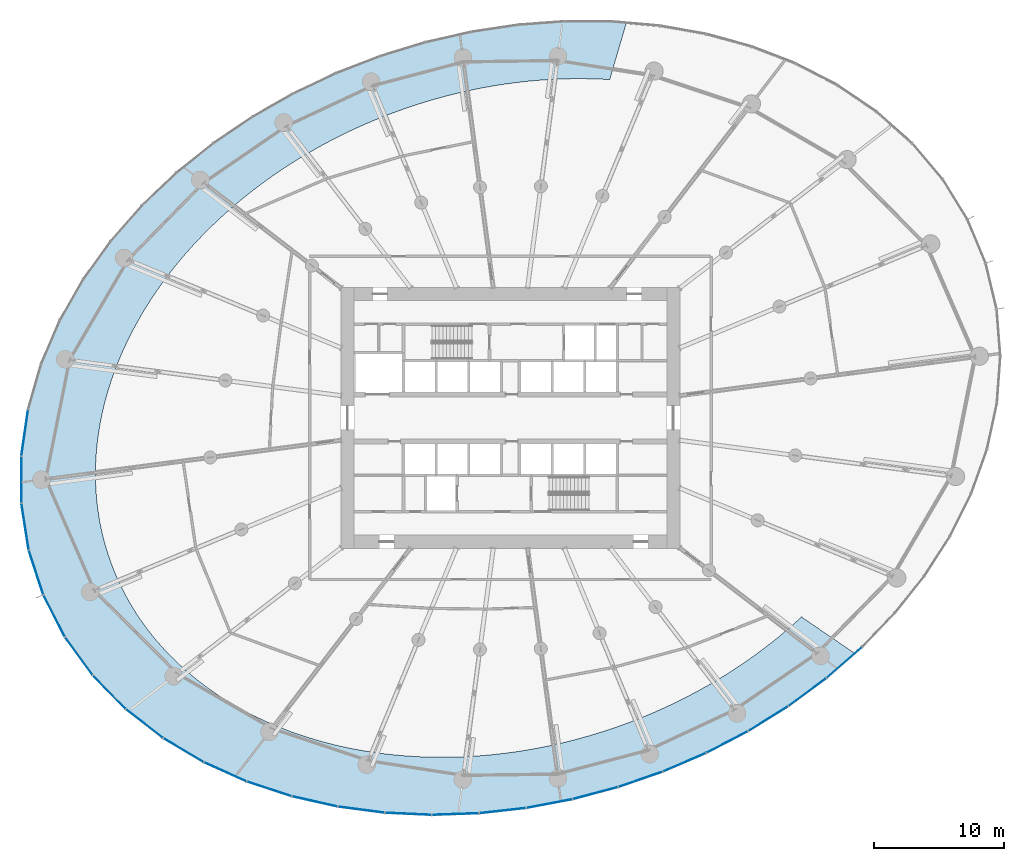
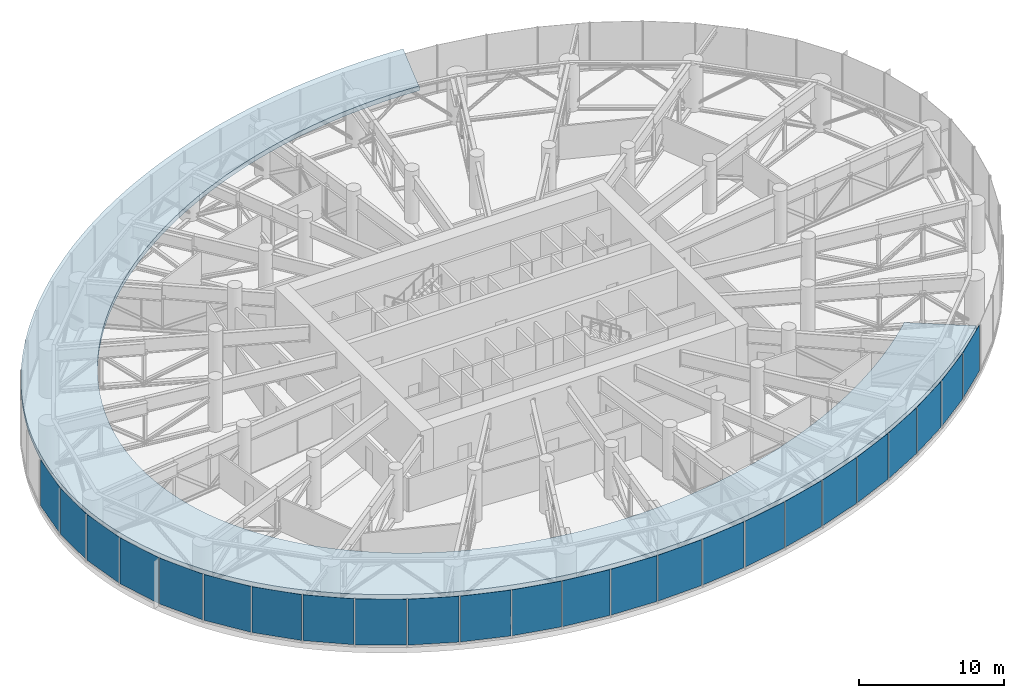
# One storey, part 18 of 42: 24 plates, 1 slab, 5 elements without a shape of their own.
"""IFC4 building model written with IfcOpenShell, lengths in metres."""

from ifc_helpers import new_model, si_unit, direction, frame, origin, origin_2d, place, context, subcontext, project, spatial, line, indexed_curve, rectangle, outline, extrude, source, transform, mapped, material, layer, layer_set, type_object, element, aggregate, save


model = new_model("IFC4")

# Units and contexts
model_context = context("Model", 3, precision=1e-05, world=origin(), true_north=direction((0.0, 1.0)))
body_context = subcontext(model_context, "Body", "Model", "MODEL_VIEW")
ifc_project = project(units=[si_unit("LENGTHUNIT", "METRE"), si_unit("AREAUNIT", "SQUARE_METRE"), si_unit("VOLUMEUNIT", "CUBIC_METRE"), si_unit("PLANEANGLEUNIT", "RADIAN"), si_unit("MASSUNIT", "GRAM", prefix="KILO")], contexts=[model_context])

# Site, building, storey
site_placement = place(None, origin())
site = spatial("IfcSite", under=ifc_project, at=site_placement, CompositionType="ELEMENT")
building_placement = place(site_placement, origin())
building = spatial("IfcBuilding", under=site, at=building_placement, Name="Spindrift Exchange Tower", CompositionType="ELEMENT")
storey_placement = place(building_placement, frame((0.0, 0.0, 75.39990234375)))
storey = spatial("IfcBuildingStorey", under=building, at=storey_placement, Name="L17", CompositionType="ELEMENT", Elevation=75.39990234375)

# Slab
ifc_material_1 = material(Name="Concrete 40 MPa", Category="concrete")
ifc_layer_1 = layer(ifc_material_1, 0.39990234375)
ifc_layer_set_1 = layer_set([ifc_layer_1], Name="RC Ledge Roof Slab 400 Concrete 40 MPa")
slab_type = type_object("IfcSlabType", Name="RC Ledge Roof Slab 400 Concrete 40 MPa", PredefinedType="ROOF", material=ifc_layer_set_1)
slab_placement = place(storey_placement, frame((0.0, 0.0, 4.0)))
element("IfcSlab", 1, at=slab_placement, inside=storey, type_object=slab_type, Name="Setback ledge roof L18", PredefinedType="ROOF", context=body_context, shape_type="SweptSolid", body=[
    extrude(outline(indexed_curve([(78.073486328125, 29.58349609375), (77.17626953125, 28.802001953125), (76.259033203125, 28.046142578125), (75.79248046875, 27.677490234375), (74.844482421875, 26.95849609375), (74.36376953125, 26.6083984375), (73.388671875, 25.927734375), (72.89453125, 25.596923828125), (71.89453125, 24.95458984375), (70.87744140625, 24.3369140625), (69.846435546875, 23.745849609375), (69.3251953125, 23.459716796875), (68.7998046875, 23.1796875), (67.74072265625, 22.639892578125), (66.667724609375, 22.1259765625), (65.583740234375, 21.63818359375), (65.037109375, 21.404052734375), (63.935302734375, 20.95556640625), (63.380615234375, 20.7412109375), (62.263671875, 20.33251953125), (61.137939453125, 19.950927734375), (60.571533203125, 19.770263671875), (59.432373046875, 19.428955078125), (58.85986328125, 19.2685546875), (58.284912109375, 19.11474609375), (57.131103515625, 18.82861328125), (55.970458984375, 18.56982421875), (54.8037109375, 18.33935546875), (54.2177734375, 18.234619140625), (53.631103515625, 18.13720703125), (52.455322265625, 17.9638671875), (51.864990234375, 17.887939453125), (50.683349609375, 17.75830078125), (49.498291015625, 17.658203125), (48.311279296875, 17.588134765625), (47.717041015625, 17.564697265625), (46.527587890625, 17.540283203125), (45.932861328125, 17.539794921875), (44.744384765625, 17.5625), (43.556396484375, 17.616943359375), (42.962646484375, 17.65625), (41.778564453125, 17.759521484375), (40.596435546875, 17.8955078125), (39.420166015625, 18.0654296875), (38.833740234375, 18.1630859375), (37.665283203125, 18.384765625), (37.0830078125, 18.5087890625), (35.926513671875, 18.782958984375), (34.778564453125, 19.09326171875), (33.640380859375, 19.4404296875), (33.075927734375, 19.627685546875), (32.514892578125, 19.82470703125), (31.9580078125, 20.030517578125), (31.40380859375, 20.24609375), (30.853515625, 20.471435546875), (30.307373046875, 20.706298828125), (29.765380859375, 20.950927734375), (29.22705078125, 21.20556640625), (28.6943359375, 21.4697265625), (28.16650390625, 21.743896484375), (27.644287109375, 22.027587890625), (27.1279296875, 22.3212890625), (26.616943359375, 22.625), (26.11181640625, 22.938720703125), (25.61328125, 23.2626953125), (25.12109375, 23.596435546875), (24.635986328125, 23.9404296875), (24.15771484375, 24.295166015625), (23.6875, 24.6591796875), (23.22509765625, 25.033203125), (22.771240234375, 25.417236328125), (22.326416015625, 25.810302734375), (21.889892578125, 26.214111328125), (21.462646484375, 26.62744140625), (21.044921875, 27.05078125), (20.636474609375, 27.484375), (20.239013671875, 27.926513671875), (19.85205078125, 28.378173828125), (19.476806640625, 28.837890625), (19.1123046875, 29.3076171875), (18.758544921875, 29.786865234375), (18.41748046875, 30.27392578125), (18.088623046875, 30.769287109375), (17.7724609375, 31.27294921875), (17.468994140625, 31.784423828125), (17.1787109375, 32.303466796875), (16.90185546875, 32.82958984375), (16.638916015625, 33.36279296875), (16.3896484375, 33.902587890625), (16.154541015625, 34.44873046875), (15.933837890625, 35.0009765625), (15.727783203125, 35.557373046875), (15.536376953125, 36.120361328125), (15.359619140625, 36.68798828125), (15.197509765625, 37.261474609375), (15.05078125, 37.837646484375), (14.919189453125, 38.416259765625), (14.802490234375, 39.00048828125), (14.700927734375, 39.58642578125), (14.61474609375, 40.1748046875), (14.54345703125, 40.76513671875), (14.487548828125, 41.35693359375), (14.446533203125, 41.948974609375), (14.42041015625, 42.543212890625), (14.4091796875, 43.1376953125), (14.41259765625, 43.732177734375), (14.4306640625, 44.326416015625), (14.463134765625, 44.920166015625), (14.509765625, 45.512939453125), (14.5703125, 46.1044921875), (14.64501953125, 46.6943359375), (14.7333984375, 47.28369140625), (14.8349609375, 47.868408203125), (14.949951171875, 48.45166015625), (15.077880859375, 49.032470703125), (15.21875, 49.611083984375), (15.3720703125, 50.185791015625), (15.53759765625, 50.7568359375), (15.715087890625, 51.32421875), (15.904541015625, 51.887939453125), (16.10498046875, 52.446533203125), (16.317626953125, 53.0029296875), (16.541015625, 53.55419921875), (16.77490234375, 54.1005859375), (17.019775390625, 54.642578125), (17.274658203125, 55.1796875), (17.539794921875, 55.712158203125), (17.814697265625, 56.2392578125), (18.0986328125, 56.760498046875), (18.39306640625, 57.2783203125), (18.69580078125, 57.7890625), (19.0078125, 58.29541015625), (19.328369140625, 58.7958984375), (19.658203125, 59.291748046875), (19.99560546875, 59.781494140625), (20.69482421875, 60.743408203125), (21.05615234375, 61.215576171875), (21.800537109375, 62.14208984375), (22.184326171875, 62.59716796875), (22.970947265625, 63.488037109375), (23.78515625, 64.355712890625), (24.20166015625, 64.7802734375), (25.052734375, 65.61083984375), (25.926513671875, 66.41650390625), (26.3720703125, 66.81005859375), (26.82373046875, 67.197998046875), (27.741455078125, 67.9541015625), (28.2080078125, 68.322998046875), (29.15478515625, 69.041259765625), (29.63623046875, 69.3916015625), (30.61083984375, 70.07177734375), (31.10546875, 70.403076171875), (32.10546875, 71.04541015625), (33.1220703125, 71.66259765625), (33.635986328125, 71.96142578125), (34.154296875, 72.25439453125), (35.19970703125, 72.820068359375), (36.25927734375, 73.360107421875), (36.7939453125, 73.6201171875), (37.332275390625, 73.8740234375), (38.416259765625, 74.36181640625), (38.96337890625, 74.59619140625), (40.064208984375, 75.044189453125), (40.619384765625, 75.2587890625), (41.735595703125, 75.667236328125), (42.862060546875, 76.049072265625), (43.428466796875, 76.229736328125), (44.567626953125, 76.571044921875), (45.140869140625, 76.731689453125), (45.715087890625, 76.88525390625), (46.869384765625, 77.171630859375), (48.029541015625, 77.43017578125), (48.61279296875, 77.549072265625), (49.781494140625, 77.76513671875), (50.368896484375, 77.86279296875), (51.544677734375, 78.0361328125), (52.135009765625, 78.112060546875), (53.316650390625, 78.24169921875), (53.909423828125, 78.29541015625), (55.094970703125, 78.380615234375), (55.689453125, 78.411865234375), (56.877197265625, 78.451416015625), (57.471923828125, 78.459716796875), (58.067138671875, 78.460205078125), (59.255615234375, 78.4375), (59.850341796875, 78.414306640625), (60.94921875, 78.349609375), (60.917236328125, 78.3408203125), (60.89794921875, 78.313720703125), (59.637451171875, 74.01953125), (59.64453125, 73.976806640625), (59.68212890625, 73.95556640625), (58.9599609375, 73.996337890625), (58.454833984375, 74.015625), (57.444091796875, 74.03369140625), (56.433349609375, 74.02490234375), (55.4228515625, 73.9892578125), (54.413818359375, 73.927490234375), (53.40673828125, 73.839599609375), (52.40234375, 73.726806640625), (51.4013671875, 73.58837890625), (50.902099609375, 73.510009765625), (49.906005859375, 73.3349609375), (48.915283203125, 73.135498046875), (47.9296875, 72.911865234375), (46.94921875, 72.664794921875), (45.975341796875, 72.39404296875), (45.00830078125, 72.10009765625), (44.52734375, 71.9443359375), (43.571533203125, 71.615966796875), (42.62353515625, 71.264892578125), (41.684326171875, 70.891357421875), (40.754150390625, 70.4951171875), (39.833984375, 70.076904296875), (38.924072265625, 69.636962890625), (38.47314453125, 69.40869140625), (37.57958984375, 68.935302734375), (36.6982421875, 68.440673828125), (35.829345703125, 67.924560546875), (34.97314453125, 67.38671875), (34.55029296875, 67.10986328125), (33.715576171875, 66.540283203125), (32.8955078125, 65.94921875), (32.091064453125, 65.337158203125), (31.302978515625, 64.7041015625), (30.531982421875, 64.050048828125), (29.779296875, 63.375244140625), (29.045654296875, 62.679931640625), (28.331787109375, 61.96435546875), (27.638916015625, 61.228271484375), (26.968017578125, 60.47216796875), (26.3203125, 59.696044921875), (25.697021484375, 58.90087890625), (25.098876953125, 58.08544921875), (24.527587890625, 57.251953125), (23.984619140625, 56.399658203125), (23.723876953125, 55.966552734375), (23.22509765625, 55.0869140625), (22.75830078125, 54.190673828125), (22.32470703125, 53.277587890625), (22.12060546875, 52.814697265625), (21.73974609375, 51.87841796875), (21.56298828125, 51.405029296875), (21.39599609375, 50.928466796875), (21.238525390625, 50.447998046875), (21.091064453125, 49.964599609375), (20.95361328125, 49.478515625), (20.826416015625, 48.98876953125), (20.709716796875, 48.496826171875), (20.60400390625, 48.002685546875), (20.509033203125, 47.5068359375), (20.42529296875, 47.00830078125), (20.3525390625, 46.50830078125), (20.29150390625, 46.006591796875), (20.2421875, 45.50341796875), (20.20458984375, 44.99951171875), (20.178955078125, 44.494140625), (20.16552734375, 43.989013671875), (20.164306640625, 43.484130859375), (20.17529296875, 42.978759765625), (20.198974609375, 42.473388671875), (20.2353515625, 41.96923828125), (20.2841796875, 41.46630859375), (20.345947265625, 40.965087890625), (20.42041015625, 40.465087890625), (20.507568359375, 39.966796875), (20.607666015625, 39.471435546875), (20.720458984375, 38.979248046875), (20.84619140625, 38.4892578125), (20.984619140625, 38.003173828125), (21.135498046875, 37.521484375), (21.299072265625, 37.043212890625), (21.475341796875, 36.56884765625), (21.663818359375, 36.099853515625), (21.8642578125, 35.63671875), (22.0771484375, 35.177490234375), (22.301513671875, 34.725341796875), (22.53759765625, 34.278564453125), (22.785888671875, 33.83740234375), (23.044677734375, 33.4033203125), (23.314208984375, 32.9765625), (23.5947265625, 32.55615234375), (23.885986328125, 32.14306640625), (24.187744140625, 31.73681640625), (24.4990234375, 31.338623046875), (24.81982421875, 30.9482421875), (25.14990234375, 30.566162109375), (25.48974609375, 30.191162109375), (25.837890625, 29.82470703125), (26.194580078125, 29.466796875), (26.5595703125, 29.1171875), (26.932373046875, 28.77587890625), (27.31298828125, 28.443115234375), (27.7001953125, 28.119384765625), (28.09521484375, 27.803955078125), (28.496826171875, 27.4970703125), (28.9052734375, 27.198486328125), (29.319580078125, 26.9091796875), (29.739990234375, 26.62841796875), (30.165771484375, 26.3564453125), (30.59716796875, 26.093017578125), (31.033447265625, 25.838623046875), (31.9208984375, 25.35498046875), (32.3720703125, 25.1259765625), (33.285888671875, 24.69384765625), (34.21435546875, 24.295654296875), (35.156982421875, 23.9306640625), (35.63330078125, 23.760498046875), (36.593505859375, 23.444580078125), (37.5634765625, 23.160888671875), (38.542236328125, 22.90869140625), (39.034912109375, 22.79443359375), (40.024658203125, 22.588623046875), (41.019775390625, 22.413330078125), (42.02001953125, 22.267578125), (43.02392578125, 22.151123046875), (44.031005859375, 22.063232421875), (45.0400390625, 22.003662109375), (46.05078125, 21.971923828125), (47.061767578125, 21.96728515625), (48.072265625, 21.98974609375), (48.5771484375, 22.0107421875), (49.585693359375, 22.072509765625), (50.59326171875, 22.160400390625), (51.597412109375, 22.273193359375), (52.59912109375, 22.41162109375), (53.098388671875, 22.489990234375), (54.093505859375, 22.6650390625), (55.084716796875, 22.864501953125), (56.0703125, 23.088134765625), (57.05078125, 23.335205078125), (58.024658203125, 23.60595703125), (58.509033203125, 23.75), (59.472412109375, 24.0556640625), (60.428466796875, 24.384033203125), (60.903564453125, 24.556640625), (61.84716796875, 24.9189453125), (62.781982421875, 25.30419921875), (63.70703125, 25.7109375), (64.622314453125, 26.140380859375), (65.527099609375, 26.591552734375), (66.42041015625, 27.064697265625), (67.3017578125, 27.559326171875), (67.738037109375, 27.814697265625), (68.600341796875, 28.341552734375), (69.449462890625, 28.889892578125), (70.28466796875, 29.4599609375), (71.1044921875, 30.05078125), (71.908935546875, 30.662841796875), (72.697021484375, 31.296142578125), (73.468017578125, 31.949951171875), (73.8466796875, 32.284912109375), (74.380126953125, 32.773681640625), (74.3642578125, 32.7333984375), (74.385986328125, 32.69580078125), (78.412109375, 29.943359375), (78.44384765625, 29.934814453125), (78.473876953125, 29.947509765625)], segments=[line(1, 2, 3, 4, 5, 6, 7, 8, 9, 10, 11, 12, 13, 14, 15, 16, 17, 18, 19, 20, 21, 22, 23, 24, 25, 26, 27, 28, 29, 30, 31, 32, 33, 34, 35, 36, 37, 38, 39, 40, 41, 42, 43, 44, 45, 46, 47, 48, 49, 50, 51, 52, 53, 54, 55, 56, 57, 58, 59, 60, 61, 62, 63, 64, 65, 66, 67, 68, 69, 70, 71, 72, 73, 74, 75, 76, 77, 78, 79, 80, 81, 82, 83, 84, 85, 86, 87, 88, 89, 90, 91, 92, 93, 94, 95, 96, 97, 98, 99, 100, 101, 102, 103, 104, 105, 106, 107, 108, 109, 110, 111, 112, 113, 114, 115, 116, 117, 118, 119, 120, 121, 122, 123, 124, 125, 126, 127, 128, 129, 130, 131, 132, 133, 134, 135, 136, 137, 138, 139, 140, 141, 142, 143, 144, 145, 146, 147, 148, 149, 150, 151, 152, 153, 154, 155, 156, 157, 158, 159, 160, 161, 162, 163, 164, 165, 166, 167, 168, 169, 170, 171, 172, 173, 174, 175, 176, 177, 178, 179, 180, 181, 182, 183, 184, 185, 186, 187, 188, 189, 190, 191, 192, 193, 194, 195, 196, 197, 198, 199, 200, 201, 202, 203, 204, 205, 206, 207, 208, 209, 210, 211, 212, 213, 214, 215, 216, 217, 218, 219, 220, 221, 222, 223, 224, 225, 226, 227, 228, 229, 230, 231, 232, 233, 234, 235, 236, 237, 238, 239, 240, 241, 242, 243, 244, 245, 246, 247, 248, 249, 250, 251, 252, 253, 254, 255, 256, 257, 258, 259, 260, 261, 262, 263, 264, 265, 266, 267, 268, 269, 270, 271, 272, 273, 274, 275, 276, 277, 278, 279, 280, 281, 282, 283, 284, 285, 286, 287, 288, 289, 290, 291, 292, 293, 294, 295, 296, 297, 298, 299, 300, 301, 302, 303, 304, 305, 306, 307, 308, 309, 310, 311, 312, 313, 314, 315, 316, 317, 318, 319, 320, 321, 322, 323, 324, 325, 326, 327, 328, 329, 330, 331, 332, 333, 334, 335, 336, 337, 338, 339, 340, 341, 342, 343, 344, 345, 346, 347, 348, 349, 350, 351, 352, 353, 354, 355, 356, 357, 358, 1)], self_intersect=False)), origin(), (0.0, 0.0, 1.0), 0.400146484375),
])

# Curtain wall, plate
ifc_material_2 = material(Name="Fritted laminated glass with bronze frame", Category="glass")
ifc_layer_2 = layer(ifc_material_2, 0.199951171875)
ifc_layer_set_2 = layer_set([ifc_layer_2], Name="ZONE 1 BRONZE FRITTED WALL")
curtain_wall_type = type_object("IfcCurtainWallType", Name="ZONE 1 BRONZE FRITTED WALL", PredefinedType="NOTDEFINED", material=ifc_layer_set_2)
curtain_wall_1_placement = place(storey_placement, origin())
curtain_wall_1 = element("IfcCurtainWall", 2, at=curtain_wall_1_placement, inside=storey, type_object=curtain_wall_type, Name="L17 Zone 1 Bronze Fritted Wall run 6", PredefinedType="NOTDEFINED")
ifc_material_3 = material(Name="Bronze fritted laminated glass, dense frit", Category="glass")
ifc_layer_3 = layer(ifc_material_3, 0.035888671875)
ifc_layer_set_3 = layer_set([ifc_layer_3], Name="ZONE 1 BRONZE FRITTED WALL PANEL DENSE FRIT 180")
plate_type_1 = type_object("IfcPlateType", Name="ZONE 1 BRONZE FRITTED WALL PANEL DENSE FRIT 180", PredefinedType="CURTAIN_PANEL", material=ifc_layer_set_3)
shared_shape_1 = source(origin(), body_context, "Body", "SweptSolid", [
    extrude(rectangle(XDim=3.544921875, YDim=0.035888671875, at=origin_2d()), origin(), (0.0, 0.0, 1.0), 3.85009765625),
])
plate_1_placement = place(storey_placement, frame((18.885009765625, 29.728515625, 0.150146484375), z_axis=(0.0, 0.0, 1.0), x_axis=(0.587533887749, -0.809199561756, 0.0)))
plate_1 = element("IfcPlate", 3, at=plate_1_placement, type_object=plate_type_1, Name="L17 panel CW-1.32", PredefinedType="CURTAIN_PANEL", context=body_context, shape_type="MappedRepresentation", body=[
    mapped(shared_shape_1, transform((0.0, 0.0, 0.0), scale=1.0)),
])

curtain_wall_2_placement = place(storey_placement, origin())
curtain_wall_2 = element("IfcCurtainWall", 4, at=curtain_wall_2_placement, inside=storey, type_object=curtain_wall_type, Name="L17 Zone 1 Bronze Fritted Wall run 5", PredefinedType="NOTDEFINED")
ifc_layer_4 = layer(ifc_material_3, 0.035888671875)
ifc_layer_set_4 = layer_set([ifc_layer_4], Name="ZONE 1 BRONZE FRITTED WALL PANEL DENSE FRIT 420")
plate_type_2 = type_object("IfcPlateType", Name="ZONE 1 BRONZE FRITTED WALL PANEL DENSE FRIT 420", PredefinedType="CURTAIN_PANEL", material=ifc_layer_set_4)
shared_shape_2 = source(origin(), body_context, "Body", "SweptSolid", [
    extrude(rectangle(XDim=3.54541015625, YDim=0.035888671875, at=origin_2d()), origin(), (0.0, 0.0, 1.0), 3.85009765625),
])
plate_2_placement = place(storey_placement, frame((14.73388671875, 46.865478515625, 0.150146484375), z_axis=(0.0, 0.0, 1.0), x_axis=(-0.143575530328, -0.989639362137, 0.0)))
plate_2 = element("IfcPlate", 5, at=plate_2_placement, type_object=plate_type_2, Name="L17 panel CW-1.27", PredefinedType="CURTAIN_PANEL", context=body_context, shape_type="MappedRepresentation", body=[
    mapped(shared_shape_2, transform((0.0, 0.0, 0.0), scale=1.0)),
])

# Plate
ifc_layer_5 = layer(ifc_material_3, 0.035888671875)
ifc_layer_set_5 = layer_set([ifc_layer_5], Name="ZONE 1 BRONZE FRITTED WALL PANEL DENSE FRIT 300")
plate_type_3 = type_object("IfcPlateType", Name="ZONE 1 BRONZE FRITTED WALL PANEL DENSE FRIT 300", PredefinedType="CURTAIN_PANEL", material=ifc_layer_set_5)
shared_shape_3 = source(origin(), body_context, "Body", "SweptSolid", [
    extrude(rectangle(XDim=3.54638671875, YDim=0.035888671875, at=origin_2d()), origin(), (0.0, 0.0, 1.0), 3.85009765625),
])
plate_3_placement = place(storey_placement, frame((30.115478515625, 20.845947265625, 0.150146484375), z_axis=(0.0, 0.0, 1.0), x_axis=(0.91213442463, -0.409891194593, 0.0)))
plate_3 = element("IfcPlate", 6, at=plate_3_placement, type_object=plate_type_3, Name="L17 panel CW-1.36", PredefinedType="CURTAIN_PANEL", context=body_context, shape_type="MappedRepresentation", body=[
    mapped(shared_shape_3, transform((0.0, 0.0, 0.0), scale=1.0)),
])

# Curtain wall, plates
curtain_wall_3_placement = place(storey_placement, origin())
curtain_wall_3 = element("IfcCurtainWall", 7, at=curtain_wall_3_placement, inside=storey, type_object=curtain_wall_type, Name="L17 Zone 1 Bronze Fritted Wall run 7", PredefinedType="NOTDEFINED")
shared_shape_4 = source(origin(), body_context, "Body", "SweptSolid", [
    extrude(rectangle(XDim=3.547119140625, YDim=0.035888671875, at=origin_2d()), origin(), (0.0, 0.0, 1.0), 3.85009765625),
])
plate_4_placement = place(storey_placement, frame((44.161865234375, 17.62255859375, 0.150146484375), z_axis=(0.0, 0.0, 1.0), x_axis=(0.998954754041, -0.045709948365, 0.0)))
plate_4 = element("IfcPlate", 8, at=plate_4_placement, type_object=plate_type_2, Name="L17 panel CW-1.40", PredefinedType="CURTAIN_PANEL", context=body_context, shape_type="MappedRepresentation", body=[
    mapped(shared_shape_4, transform((0.0, 0.0, 0.0), scale=1.0)),
])
shared_shape_5 = source(origin(), body_context, "Body", "SweptSolid", [
    extrude(rectangle(XDim=3.547119140625, YDim=0.035888671875, at=origin_2d()), origin(), (0.0, 0.0, 1.0), 3.85009765625),
])
plate_5_placement = place(storey_placement, frame((40.552001953125, 17.94140625, 0.150146484375), z_axis=(0.0, 0.0, 1.0), x_axis=(0.991507168266, -0.130052048338, 0.0)))
plate_5 = element("IfcPlate", 9, at=plate_5_placement, type_object=plate_type_3, Name="L17 panel CW-1.39", PredefinedType="CURTAIN_PANEL", context=body_context, shape_type="MappedRepresentation", body=[
    mapped(shared_shape_5, transform((0.0, 0.0, 0.0), scale=1.0)),
])

# Curtain wall, plate
curtain_wall_4_placement = place(storey_placement, origin())
curtain_wall_4 = element("IfcCurtainWall", 10, at=curtain_wall_4_placement, inside=storey, type_object=curtain_wall_type, Name="L17 Zone 1 Bronze Fritted Wall run 9", PredefinedType="NOTDEFINED")
plate_6_placement = place(storey_placement, frame((77.617431640625, 29.23193359375, 0.150146484375), z_axis=(0.0, 0.0, 1.0), x_axis=(0.753564539637, 0.657373930577, 0.0)))
plate_6 = element("IfcPlate", 11, at=plate_6_placement, type_object=plate_type_3, Name="L17 panel CW-1.50", PredefinedType="CURTAIN_PANEL", context=body_context, shape_type="MappedRepresentation", body=[
    mapped(shared_shape_5, transform((0.0, 0.0, 0.0), scale=1.0)),
])

# Plate
shared_shape_6 = source(origin(), body_context, "Body", "SweptSolid", [
    extrude(rectangle(XDim=3.54736328125, YDim=0.035888671875, at=origin_2d()), origin(), (0.0, 0.0, 1.0), 3.85009765625),
])
plate_7_placement = place(storey_placement, frame((51.40087890625, 17.8681640625, 0.150146484375), z_axis=(0.0, 0.0, 1.0), x_axis=(0.993747474725, 0.111651047817, 0.0)))
plate_7 = element("IfcPlate", 12, at=plate_7_placement, type_object=plate_type_3, Name="L17 panel CW-1.42", PredefinedType="CURTAIN_PANEL", context=body_context, shape_type="MappedRepresentation", body=[
    mapped(shared_shape_6, transform((0.0, 0.0, 0.0), scale=1.0)),
])

# Curtain wall, plates
curtain_wall_5_placement = place(storey_placement, origin())
curtain_wall_5 = element("IfcCurtainWall", 13, at=curtain_wall_5_placement, inside=storey, type_object=curtain_wall_type, Name="L17 Zone 1 Bronze Fritted Wall run 8", PredefinedType="NOTDEFINED")
plate_8_placement = place(storey_placement, frame((65.366943359375, 21.58056640625, 0.150146484375), z_axis=(0.0, 0.0, 1.0), x_axis=(0.918623710727, 0.395133494012, 0.0)))
plate_8 = element("IfcPlate", 14, at=plate_8_placement, type_object=plate_type_3, Name="L17 panel CW-1.46", PredefinedType="CURTAIN_PANEL", context=body_context, shape_type="MappedRepresentation", body=[
    mapped(shared_shape_6, transform((0.0, 0.0, 0.0), scale=1.0)),
])
plate_9_placement = place(storey_placement, frame((68.6416015625, 23.13525390625, 0.150146484375), z_axis=(0.0, 0.0, 1.0), x_axis=(0.886871371465, 0.462016417972, 0.0)))
plate_9 = element("IfcPlate", 15, at=plate_9_placement, type_object=plate_type_3, Name="L17 panel CW-1.47", PredefinedType="CURTAIN_PANEL", context=body_context, shape_type="MappedRepresentation", body=[
    mapped(shared_shape_6, transform((0.0, 0.0, 0.0), scale=1.0)),
])
plate_10_placement = place(storey_placement, frame((71.790283203125, 24.930908203125, 0.150146484375), z_axis=(0.0, 0.0, 1.0), x_axis=(0.849249182428, 0.527992259551, 0.0)))
plate_10 = element("IfcPlate", 16, at=plate_10_placement, type_object=plate_type_3, Name="L17 panel CW-1.48", PredefinedType="CURTAIN_PANEL", context=body_context, shape_type="MappedRepresentation", body=[
    mapped(shared_shape_6, transform((0.0, 0.0, 0.0), scale=1.0)),
])

# Plate
shared_shape_7 = source(origin(), body_context, "Body", "SweptSolid", [
    extrude(rectangle(XDim=3.54736328125, YDim=0.035888671875, at=origin_2d()), origin(), (0.0, 0.0, 1.0), 3.85009765625),
])
plate_11_placement = place(storey_placement, frame((47.7861328125, 17.602783203125, 0.150146484375), z_axis=(0.0, 0.0, 1.0), x_axis=(0.999397448246, 0.034709371073, 0.0)))
plate_11 = element("IfcPlate", 17, at=plate_11_placement, type_object=plate_type_2, Name="L17 panel CW-1.41", PredefinedType="CURTAIN_PANEL", context=body_context, shape_type="MappedRepresentation", body=[
    mapped(shared_shape_7, transform((0.0, 0.0, 0.0), scale=1.0)),
])

plate_12_placement = place(storey_placement, frame((54.985595703125, 18.407470703125, 0.150146484375), z_axis=(0.0, 0.0, 1.0), x_axis=(0.982601777135, 0.185724924476, 0.0)))
plate_12 = element("IfcPlate", 18, at=plate_12_placement, type_object=plate_type_2, Name="L17 panel CW-1.43", PredefinedType="CURTAIN_PANEL", context=body_context, shape_type="MappedRepresentation", body=[
    mapped(shared_shape_7, transform((0.0, 0.0, 0.0), scale=1.0)),
])

plate_13_placement = place(storey_placement, frame((58.520263671875, 19.211181640625, 0.150146484375), z_axis=(0.0, 0.0, 1.0), x_axis=(0.966318611189, 0.257348677225, 0.0)))
plate_13 = element("IfcPlate", 19, at=plate_13_placement, type_object=plate_type_2, Name="L17 panel CW-1.44", PredefinedType="CURTAIN_PANEL", context=body_context, shape_type="MappedRepresentation", body=[
    mapped(shared_shape_7, transform((0.0, 0.0, 0.0), scale=1.0)),
])

plate_14_placement = place(storey_placement, frame((61.98681640625, 20.27099609375, 0.150146484375), z_axis=(0.0, 0.0, 1.0), x_axis=(0.945021419021, 0.327008436576, 0.0)))
plate_14 = element("IfcPlate", 20, at=plate_14_placement, type_object=plate_type_2, Name="L17 panel CW-1.45", PredefinedType="CURTAIN_PANEL", context=body_context, shape_type="MappedRepresentation", body=[
    mapped(shared_shape_7, transform((0.0, 0.0, 0.0), scale=1.0)),
])

aggregate(curtain_wall_5, [plate_12, plate_13, plate_14, plate_8, plate_9, plate_10])

shared_shape_8 = source(origin(), body_context, "Body", "SweptSolid", [
    extrude(rectangle(XDim=3.544921875, YDim=0.035888671875, at=origin_2d()), origin(), (0.0, 0.0, 1.0), 3.85009765625),
])
plate_15_placement = place(storey_placement, frame((14.476806640625, 43.25927734375, 0.150146484375), z_axis=(0.0, 0.0, 1.0), x_axis=(0.001848302625, -0.999998291887, 0.0)))
plate_15 = element("IfcPlate", 21, at=plate_15_placement, type_object=plate_type_2, Name="L17 panel CW-1.28", PredefinedType="CURTAIN_PANEL", context=body_context, shape_type="MappedRepresentation", body=[
    mapped(shared_shape_8, transform((0.0, 0.0, 0.0), scale=1.0)),
])

shared_shape_9 = source(origin(), body_context, "Body", "SweptSolid", [
    extrude(rectangle(XDim=3.54443359375, YDim=0.035888671875, at=origin_2d()), origin(), (0.0, 0.0, 1.0), 3.85009765625),
])
plate_16_placement = place(storey_placement, frame((14.761962890625, 39.656494140625, 0.150146484375), z_axis=(0.0, 0.0, 1.0), x_axis=(0.155443177653, -0.987844835245, 0.0)))
plate_16 = element("IfcPlate", 22, at=plate_16_placement, type_object=plate_type_3, Name="L17 panel CW-1.29", PredefinedType="CURTAIN_PANEL", context=body_context, shape_type="MappedRepresentation", body=[
    mapped(shared_shape_9, transform((0.0, 0.0, 0.0), scale=1.0)),
])

shared_shape_10 = source(origin(), body_context, "Body", "SweptSolid", [
    extrude(rectangle(XDim=3.54443359375, YDim=0.035888671875, at=origin_2d()), origin(), (0.0, 0.0, 1.0), 3.85009765625),
])
plate_17_placement = place(storey_placement, frame((15.60498046875, 36.143310546875, 0.150146484375), z_axis=(0.0, 0.0, 1.0), x_axis=(0.309763857031, -0.950813521611, 0.0)))
plate_17 = element("IfcPlate", 23, at=plate_17_placement, type_object=plate_type_2, Name="L17 panel CW-1.30", PredefinedType="CURTAIN_PANEL", context=body_context, shape_type="MappedRepresentation", body=[
    mapped(shared_shape_10, transform((0.0, 0.0, 0.0), scale=1.0)),
])

aggregate(curtain_wall_2, [plate_2, plate_15, plate_16, plate_17])

shared_shape_11 = source(origin(), body_context, "Body", "SweptSolid", [
    extrude(rectangle(XDim=3.54443359375, YDim=0.035888671875, at=origin_2d()), origin(), (0.0, 0.0, 1.0), 3.85009765625),
])
plate_18_placement = place(storey_placement, frame((16.9931640625, 32.8076171875, 0.150146484375), z_axis=(0.0, 0.0, 1.0), x_axis=(0.456262575136, -0.889845190205, 0.0)))
plate_18 = element("IfcPlate", 24, at=plate_18_placement, type_object=plate_type_1, Name="L17 panel CW-1.31", PredefinedType="CURTAIN_PANEL", context=body_context, shape_type="MappedRepresentation", body=[
    mapped(shared_shape_11, transform((0.0, 0.0, 0.0), scale=1.0)),
])

shared_shape_12 = source(origin(), body_context, "Body", "SweptSolid", [
    extrude(rectangle(XDim=3.545166015625, YDim=0.035888671875, at=origin_2d()), origin(), (0.0, 0.0, 1.0), 3.85009765625),
])
plate_19_placement = place(storey_placement, frame((21.216796875, 26.965576171875, 0.150146484375), z_axis=(0.0, 0.0, 1.0), x_axis=(0.698964691999, -0.715156178284, 0.0)))
plate_19 = element("IfcPlate", 25, at=plate_19_placement, type_object=plate_type_3, Name="L17 panel CW-1.33", PredefinedType="CURTAIN_PANEL", context=body_context, shape_type="MappedRepresentation", body=[
    mapped(shared_shape_12, transform((0.0, 0.0, 0.0), scale=1.0)),
])

shared_shape_13 = source(origin(), body_context, "Body", "SweptSolid", [
    extrude(rectangle(XDim=3.545654296875, YDim=0.035888671875, at=origin_2d()), origin(), (0.0, 0.0, 1.0), 3.85009765625),
])
plate_20_placement = place(storey_placement, frame((23.914306640625, 24.555908203125, 0.150146484375), z_axis=(0.0, 0.0, 1.0), x_axis=(0.789223441413, -0.614106146789, 0.0)))
plate_20 = element("IfcPlate", 26, at=plate_20_placement, type_object=plate_type_1, Name="L17 panel CW-1.34", PredefinedType="CURTAIN_PANEL", context=body_context, shape_type="MappedRepresentation", body=[
    mapped(shared_shape_13, transform((0.0, 0.0, 0.0), scale=1.0)),
])

shared_shape_14 = source(origin(), body_context, "Body", "SweptSolid", [
    extrude(rectangle(XDim=3.546142578125, YDim=0.035888671875, at=origin_2d()), origin(), (0.0, 0.0, 1.0), 3.85009765625),
])
plate_21_placement = place(storey_placement, frame((26.9033203125, 22.515869140625, 0.150146484375), z_axis=(0.0, 0.0, 1.0), x_axis=(0.859457272611, -0.51120758656, 0.0)))
plate_21 = element("IfcPlate", 27, at=plate_21_placement, type_object=plate_type_2, Name="L17 panel CW-1.35", PredefinedType="CURTAIN_PANEL", context=body_context, shape_type="MappedRepresentation", body=[
    mapped(shared_shape_14, transform((0.0, 0.0, 0.0), scale=1.0)),
])

aggregate(curtain_wall_1, [plate_18, plate_1, plate_19, plate_20, plate_21, plate_3])

shared_shape_15 = source(origin(), body_context, "Body", "SweptSolid", [
    extrude(rectangle(XDim=3.546630859375, YDim=0.035888671875, at=origin_2d()), origin(), (0.0, 0.0, 1.0), 3.85009765625),
])
plate_22_placement = place(storey_placement, frame((33.491943359375, 19.53662109375, 0.150146484375), z_axis=(0.0, 0.0, 1.0), x_axis=(0.950039080288, -0.312130975593, 0.0)))
plate_22 = element("IfcPlate", 28, at=plate_22_placement, type_object=plate_type_3, Name="L17 panel CW-1.37", PredefinedType="CURTAIN_PANEL", context=body_context, shape_type="MappedRepresentation", body=[
    mapped(shared_shape_15, transform((0.0, 0.0, 0.0), scale=1.0)),
])

shared_shape_16 = source(origin(), body_context, "Body", "SweptSolid", [
    extrude(rectangle(XDim=3.547119140625, YDim=0.035888671875, at=origin_2d()), origin(), (0.0, 0.0, 1.0), 3.85009765625),
])
plate_23_placement = place(storey_placement, frame((36.984375, 18.573974609375, 0.150146484375), z_axis=(0.0, 0.0, 1.0), x_axis=(0.975774542193, -0.218778524561, 0.0)))
plate_23 = element("IfcPlate", 29, at=plate_23_placement, type_object=plate_type_1, Name="L17 panel CW-1.38", PredefinedType="CURTAIN_PANEL", context=body_context, shape_type="MappedRepresentation", body=[
    mapped(shared_shape_16, transform((0.0, 0.0, 0.0), scale=1.0)),
])

aggregate(curtain_wall_3, [plate_22, plate_23, plate_5, plate_4, plate_11, plate_7])

plate_24_placement = place(storey_placement, frame((74.790771484375, 26.964111328125, 0.150146484375), z_axis=(0.0, 0.0, 1.0), x_axis=(0.805130910958, 0.593097138941, 0.0)))
plate_24 = element("IfcPlate", 30, at=plate_24_placement, type_object=plate_type_1, Name="L17 panel CW-1.49", PredefinedType="CURTAIN_PANEL", context=body_context, shape_type="MappedRepresentation", body=[
    mapped(shared_shape_16, transform((0.0, 0.0, 0.0), scale=1.0)),
])

aggregate(curtain_wall_4, [plate_24, plate_6])

save(model, "model.ifc")
